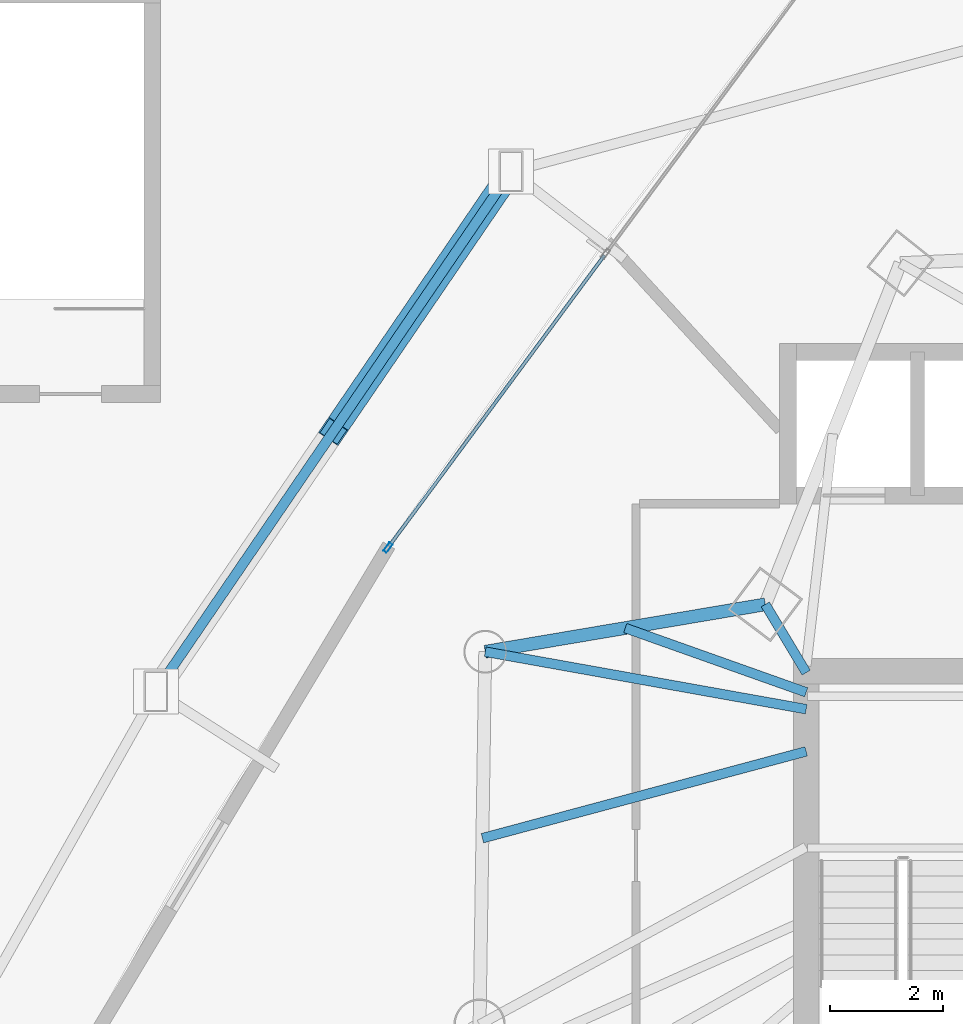
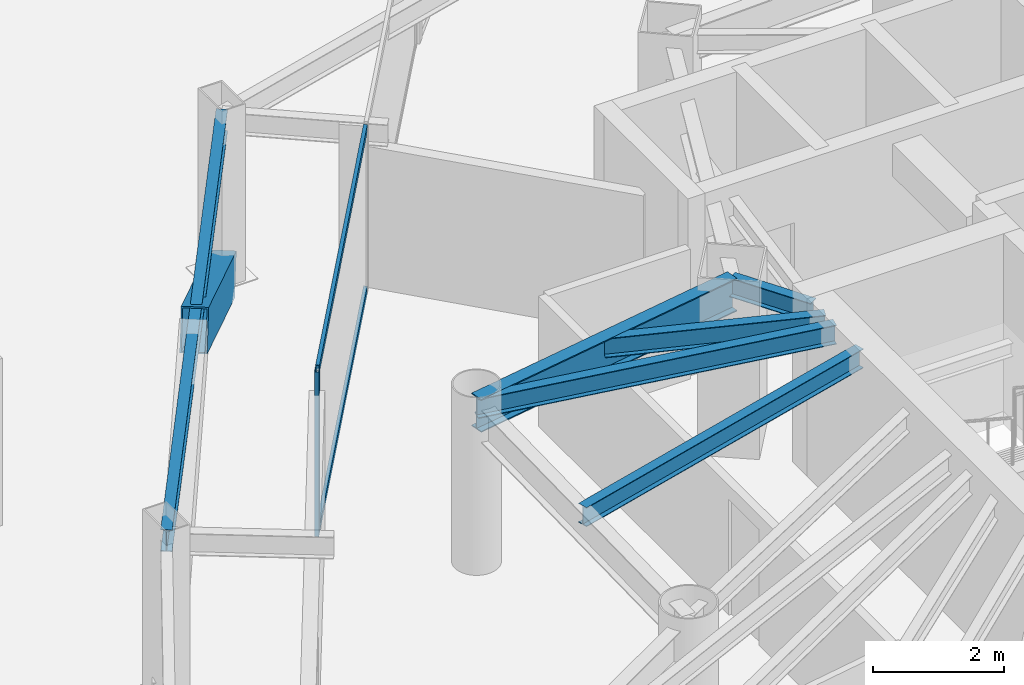
# One storey, part 21 of 36: 6 beams, 4 members, 1 element without a shape of its own.
"""IFC4 building model written with IfcOpenShell, lengths in metres."""

import ifcopenshell
import ifcopenshell.guid

model = None  # the IFC model being written
_history = None  # IfcOwnerHistory: only IFC2X3 demands one
_inside = {}  # id of a spatial element -> (the spatial element, [elements in it])
_under = {}  # id of a project, library or spatial element -> (it, [spatial elements below it])
_declared = {}  # id of a project -> (the project, [libraries it declares])
_typed = {}  # id of a type object -> (the type object, [elements of that type])
_made_of = {}  # id of a material, layer set ... -> (it, [elements and type objects made of it])


def new_model(schema):
    """Start an empty IFC model of exactly this schema.

    Asked for "IFC4X3", IfcOpenShell would pick the latest addendum, in which some entities
    have other attributes; the version numbers below select the first issue.
    IFC2X3 requires an IfcOwnerHistory on every rooted entity: one is made here for all.
    """
    global model, _history
    if schema == "IFC4X3":
        model = ifcopenshell.file(schema_version=(4, 3, 0, 0))
    else:
        model = ifcopenshell.file(schema=schema)
    _inside.clear()
    _under.clear()
    _declared.clear()
    _typed.clear()
    _made_of.clear()
    _history = None
    if model.schema == "IFC2X3":
        org = make("IfcOrganization", Name="unknown")
        user = make(
            "IfcPersonAndOrganization",
            ThePerson=make("IfcPerson", FamilyName="unknown"),
            TheOrganization=org,
        )
        app = make(
            "IfcApplication",
            ApplicationDeveloper=org,
            Version="unknown",
            ApplicationFullName="unknown",
            ApplicationIdentifier="unknown",
        )
        _history = make(
            "IfcOwnerHistory",
            OwningUser=user,
            OwningApplication=app,
            ChangeAction="ADDED",
            CreationDate=0,
        )
    return model


def make(cls, **values):
    """One entity of the class cls with the attributes given. An attribute that is None is left unset."""
    return model.create_entity(
        cls, **{name: value for name, value in values.items() if value is not None}
    )


def rooted(cls, **values):
    """An entity with a GlobalId (a new one), such as an element, a storey or a relation."""
    return make(cls, GlobalId=ifcopenshell.guid.new(), OwnerHistory=_history, **values)


def si_unit(unit_type, name, prefix=None):
    """IfcSIUnit, for example si_unit("LENGTHUNIT", "METRE", prefix="MILLI")."""
    return make("IfcSIUnit", UnitType=unit_type, Prefix=prefix, Name=name)


def assignment(units):
    """IfcUnitAssignment: the units of a project."""
    return None if units is None else make("IfcUnitAssignment", Units=units)


def point(xyz):
    """IfcCartesianPoint."""
    return None if xyz is None else make("IfcCartesianPoint", Coordinates=xyz)


def direction(xyz):
    """IfcDirection."""
    return None if xyz is None else make("IfcDirection", DirectionRatios=xyz)


def frame(location, z_axis=None, x_axis=None):
    """IfcAxis2Placement3D, a coordinate frame: its origin and axes. An axis left out is left unset."""
    return make(
        "IfcAxis2Placement3D",
        Location=point(location),
        Axis=direction(z_axis),
        RefDirection=direction(x_axis),
    )


def frame_2d(location, x_axis=None):
    """IfcAxis2Placement2D, a coordinate frame in the plane: its origin and x axis."""
    return make(
        "IfcAxis2Placement2D", Location=point(location), RefDirection=direction(x_axis)
    )


def origin():
    """The frame at (0, 0, 0) with its axes left unset."""
    return frame((0.0, 0.0, 0.0))


def origin_2d():
    """The frame at (0, 0) in the plane with its x axis left unset."""
    return frame_2d((0.0, 0.0))


def place(relative_to, where):
    """IfcLocalPlacement: puts the frame where relative to a parent placement (None: the world)."""
    return make(
        "IfcLocalPlacement", PlacementRelTo=relative_to, RelativePlacement=where
    )


def context(
    kind, dimensions, precision=None, world=None, true_north=None, identifier=None
):
    """IfcGeometricRepresentationContext, for example the 3D "Model" context."""
    return make(
        "IfcGeometricRepresentationContext",
        ContextIdentifier=identifier,
        ContextType=kind,
        CoordinateSpaceDimension=dimensions,
        Precision=precision,
        WorldCoordinateSystem=world,
        TrueNorth=true_north,
    )


def subcontext(parent, identifier, kind, view, scale=None):
    """IfcGeometricRepresentationSubContext, for example "Body" below "Model"."""
    return make(
        "IfcGeometricRepresentationSubContext",
        ContextIdentifier=identifier,
        ContextType=kind,
        ParentContext=parent,
        TargetScale=scale,
        TargetView=view,
    )


def project(units=None, contexts=None):
    """IfcProject with its units and contexts."""
    return rooted(
        "IfcProject",
        Name="project",
        RepresentationContexts=contexts,
        UnitsInContext=assignment(units),
    )


def spatial(cls, under=None, at=None, **own):
    """A site, building, storey or space (cls), placed at a placement, below another one or the project."""
    s = rooted(cls, ObjectPlacement=at, **own)
    if under is not None:
        _under.setdefault(under.id(), (under, []))[1].append(s)
    return s


def profile(cls, at=None, kind="AREA", **sizes):
    """A parametric profile (cls). Its sizes go by their IFC names, for example OverallWidth=200.0."""
    return make(cls, ProfileType=kind, Position=at, **sizes)


def hollow_rectangle(**sizes):
    """IfcRectangleHollowProfileDef."""
    return profile("IfcRectangleHollowProfileDef", **sizes)


def i_section(**sizes):
    """IfcIShapeProfileDef."""
    return profile("IfcIShapeProfileDef", **sizes)


def extrude(swept, where, along, depth):
    """IfcExtrudedAreaSolid: the profile swept, set in the frame where, extruded along a direction by depth."""
    return make(
        "IfcExtrudedAreaSolid",
        SweptArea=swept,
        Position=where,
        ExtrudedDirection=direction(along),
        Depth=depth,
    )


def shape(context_of_items, identifier, shape_type, items):
    """IfcShapeRepresentation: the items that make up one representation, for example the "Body"."""
    return make(
        "IfcShapeRepresentation",
        ContextOfItems=context_of_items,
        RepresentationIdentifier=identifier,
        RepresentationType=shape_type,
        Items=items,
    )


def material(Name=None, Category=None):
    """IfcMaterial."""
    return make("IfcMaterial", Name=Name, Category=Category)


def layer(
    of_material, thickness, ventilated=None, Name=None, Category=None, Priority=None
):
    """IfcMaterialLayer: one layer of a wall or slab, of a material (None: an air gap)."""
    return make(
        "IfcMaterialLayer",
        Material=of_material,
        LayerThickness=thickness,
        IsVentilated=ventilated,
        Name=Name,
        Category=Category,
        Priority=Priority,
    )


def layer_set(layers, Name=None):
    """IfcMaterialLayerSet."""
    return make("IfcMaterialLayerSet", MaterialLayers=layers, LayerSetName=Name)


def material_profile(
    of_material, cross_section, Name=None, Category=None, Priority=None
):
    """IfcMaterialProfile: a cross section and its material."""
    return make(
        "IfcMaterialProfile",
        Name=Name,
        Material=of_material,
        Profile=cross_section,
        Priority=Priority,
        Category=Category,
    )


def profile_set(profiles, Name=None, composite=None):
    """IfcMaterialProfileSet."""
    return make(
        "IfcMaterialProfileSet",
        Name=Name,
        MaterialProfiles=profiles,
        CompositeProfile=composite,
    )


def made_of(thing, what):
    """Note that an element or type object is made of a material, layer set ...; save() writes the relation."""
    if what is not None:
        _made_of.setdefault(what.id(), (what, []))[1].append(thing)
    return thing


def type_object(cls, material=None, **own):
    """A type object (cls), such as IfcWallType, which elements share."""
    return made_of(rooted(cls, **own), material)


def element(
    cls,
    number,
    at=None,
    inside=None,
    cuts=None,
    type_object=None,
    material=None,
    context=None,
    identifier="Body",
    shape_type=None,
    held_by="IfcProductDefinitionShape",
    body=None,
    shapes=None,
    **own,
):
    """One element of the class cls, such as IfcWall. Its Tag is "e" and its number.

    at: its placement. inside: the storey or other place that contains it. cuts: it is an
    opening in that element (IfcRelVoidsElement). A single representation is given by context,
    identifier, shape_type and body (its items); several are given by shapes. held_by: the class
    of the entity that holds the representations. save() writes the other relations.
    """
    e = rooted(cls, Tag="e%d" % number, ObjectPlacement=at, **own)
    if body is not None:
        shapes = [shape(context, identifier, shape_type, body)]
    if shapes is not None:
        e.Representation = make(held_by, Representations=shapes)
    if inside is not None:
        _inside.setdefault(inside.id(), (inside, []))[1].append(e)
    if cuts is not None:
        rooted(
            "IfcRelVoidsElement", RelatingBuildingElement=cuts, RelatedOpeningElement=e
        )
    if type_object is not None:
        _typed.setdefault(type_object.id(), (type_object, []))[1].append(e)
    return made_of(e, material)


def aggregate(whole, parts):
    """IfcRelAggregates: a whole, such as a stair, and the parts it consists of."""
    return rooted("IfcRelAggregates", RelatingObject=whole, RelatedObjects=parts)


def save(model, path):
    """Write the relations noted so far, then the file.

    IfcRelAggregates (storeys below a building ...), IfcRelContainedInSpatialStructure (elements
    in a storey), IfcRelDefinesByType, IfcRelAssociatesMaterial and IfcRelDeclares: one each for
    every whole, place, type object, material and project.
    """
    for whole, parts in _under.values():
        aggregate(whole, parts)
    for where, things in _inside.values():
        rooted(
            "IfcRelContainedInSpatialStructure",
            RelatedElements=things,
            RelatingStructure=where,
        )
    for kind, things in _typed.values():
        rooted("IfcRelDefinesByType", RelatedObjects=things, RelatingType=kind)
    for what, things in _made_of.values():
        rooted("IfcRelAssociatesMaterial", RelatedObjects=things, RelatingMaterial=what)
    for by, libraries in _declared.values():
        rooted("IfcRelDeclares", RelatingContext=by, RelatedDefinitions=libraries)
    model.write(path)


model = new_model("IFC4")

# Units and contexts
model_context = context("Model", 3, precision=1e-05, world=origin(), true_north=direction((0.0, 1.0)))
body_context = subcontext(model_context, "Body", "Model", "MODEL_VIEW")
ifc_project = project(units=[si_unit("LENGTHUNIT", "METRE"), si_unit("AREAUNIT", "SQUARE_METRE"), si_unit("VOLUMEUNIT", "CUBIC_METRE"), si_unit("PLANEANGLEUNIT", "RADIAN"), si_unit("MASSUNIT", "GRAM", prefix="KILO")], contexts=[model_context])

# Site, building, storey
site_placement = place(None, origin())
site = spatial("IfcSite", under=ifc_project, at=site_placement, CompositionType="ELEMENT")
building_placement = place(site_placement, origin())
building = spatial("IfcBuilding", under=site, at=building_placement, Name="Orvanel Arch Residences", CompositionType="ELEMENT")
storey_placement = place(building_placement, frame((0.0, 0.0, 23.60009765625)))
storey = spatial("IfcBuildingStorey", under=building, at=storey_placement, Name="L05", CompositionType="ELEMENT", Elevation=23.60009765625)

# Beams
ifc_material_1 = material(Name="Structural steel AS/NZS 3679.1 Grade 300 (300 MPa)", Category="steel")
ifc_material_profile_1 = material_profile(ifc_material_1, i_section(OverallWidth=0.1708984375, OverallDepth=0.35595703125, WebThickness=0.00732421875, FlangeThickness=0.011474609375, at=origin_2d()), Name="360UB50.7")
ifc_profile_set_1 = profile_set([ifc_material_profile_1], Name="Structural steel AS/NZS 3679.1 Grade 300 (300 MPa)")
beam_type_1 = type_object("IfcBeamType", Name="BJ-360UB", PredefinedType="JOIST", material=ifc_profile_set_1)
beam_1_placement = place(storey_placement, frame((26.375, 33.89990234375, 2.8818359375), z_axis=(-0.514064138778, 0.857751748015, 0.0), x_axis=(-0.857751748015, -0.514064138778, 0.0)))
element("IfcBeam", 1, at=beam_1_placement, inside=storey, type_object=beam_type_1, Name="L05 NNW Wing Floor Joist", PredefinedType="JOIST", context=body_context, shape_type="SweptSolid", body=[
    extrude(i_section(OverallWidth=0.1708984375, OverallDepth=0.35595703125, WebThickness=0.00732421875, FlangeThickness=0.011474609375, at=origin_2d()), origin(), (0.0, 0.0, 1.0), 1.414306640625),
])
beam_2_placement = place(storey_placement, frame((26.375, 32.5, 2.8818359375), z_axis=(-0.965844838168, -0.259121107949, 0.0), x_axis=(0.259121107949, -0.965844838168, 0.0)))
element("IfcBeam", 2, at=beam_2_placement, inside=storey, type_object=beam_type_1, Name="L05 WNW Wing Floor Joist", PredefinedType="JOIST", context=body_context, shape_type="SweptSolid", body=[
    extrude(i_section(OverallWidth=0.1708984375, OverallDepth=0.35595703125, WebThickness=0.00732421875, FlangeThickness=0.011474609375, at=origin_2d()), origin(), (0.0, 0.0, 1.0), 5.95849609375),
])
beam_3_placement = place(storey_placement, frame((26.375, 33.25, 2.8818359375), z_axis=(-0.984360855662, 0.176163860766, 0.0), x_axis=(-0.176163860766, -0.984360855662, 0.0)))
element("IfcBeam", 3, at=beam_3_placement, inside=storey, type_object=beam_type_1, Name="L05 LW Wing Floor Joist", PredefinedType="JOIST", context=body_context, shape_type="SweptSolid", body=[
    extrude(i_section(OverallWidth=0.1708984375, OverallDepth=0.35595703125, WebThickness=0.00732421875, FlangeThickness=0.011474609375, at=origin_2d()), origin(), (0.0, 0.0, 1.0), 5.795654296875),
])
beam_4_placement = place(storey_placement, frame((26.375, 33.550048828125, 2.8818359375), z_axis=(-0.942366638377, 0.334582006201, 0.0), x_axis=(-0.334582006201, -0.942366638377, 0.0)))
element("IfcBeam", 4, at=beam_4_placement, inside=storey, type_object=beam_type_1, Name="L05 JADD3 Wing Floor Joist", PredefinedType="JOIST", context=body_context, shape_type="SweptSolid", body=[
    extrude(i_section(OverallWidth=0.1708984375, OverallDepth=0.35595703125, WebThickness=0.00732421875, FlangeThickness=0.011474609375, at=origin_2d()), origin(), (0.0, 0.0, 1.0), 3.412841796875),
])

# Member
ifc_material_2 = material(Name="Structural steel AS/NZS 3678 Grade 350", Category="steel")
ifc_material_profile_2 = material_profile(ifc_material_2, hollow_rectangle(XDim=0.419921875, YDim=0.719970703125, WallThickness=0.02490234375, at=origin_2d()), Name="RHS720x420x25")
ifc_profile_set_2 = profile_set([ifc_material_profile_2], Name="Structural steel AS/NZS 3678 Grade 350")
member_type_1 = type_object("IfcMemberType", Name="BR-720RHS-EXT", PredefinedType="BRACE", material=ifc_profile_set_2)
member_1_placement = place(storey_placement, frame((21.126953125, 42.80908203125, 0.0), z_axis=(-0.502245852867, -0.735554922757, 0.454651579659), x_axis=(0.825845078802, -0.563897070234, 0.0)))
element("IfcMember", 5, at=member_1_placement, inside=storey, type_object=member_type_1, Name="L05 Exterior Sky-Garden V-Frame Chevron F1B1.1", PredefinedType="BRACE", context=body_context, shape_type="SweptSolid", body=[
    extrude(hollow_rectangle(XDim=0.419921875, YDim=0.719970703125, WallThickness=0.02490234375, at=origin_2d()), origin(), (0.0, 0.0, 1.0), 6.28369140625),
])

# Curtain wall, member
ifc_material_3 = material(Name="Bronze-anodised aluminium AA6063-T6", Category="aluminium")
ifc_layer = layer(ifc_material_3, 0.179931640625)
ifc_layer_set = layer_set([ifc_layer], Name="Bronze-anodised aluminium AA6063-T6")
curtain_wall_type = type_object("IfcCurtainWallType", Name="CW2-LOW-SYS", PredefinedType="NOTDEFINED", material=ifc_layer_set)
curtain_wall_placement = place(storey_placement, origin())
curtain_wall = element("IfcCurtainWall", 6, at=curtain_wall_placement, inside=storey, type_object=curtain_wall_type, Name="L05 CW2-LOW-SYS Unitised Curtain Wall", PredefinedType="NOTDEFINED")
ifc_material_profile_3 = material_profile(ifc_material_3, hollow_rectangle(XDim=0.070068359375, YDim=0.179931640625, WallThickness=0.00439453125, at=origin_2d()), Name="ALU180x70x4.5")
ifc_profile_set_3 = profile_set([ifc_material_profile_3], Name="Bronze-anodised aluminium AA6063-T6")
member_type_2 = type_object("IfcMemberType", Name="MUL-180x70", PredefinedType="MULLION", material=ifc_profile_set_3)
member_2_placement = place(storey_placement, frame((18.93994140625, 36.1201171875, 0.0), z_axis=(0.0, 0.0, 1.0), x_axis=(0.803638489605, -0.595117785002, 0.0)))
member_2 = element("IfcMember", 7, at=member_2_placement, type_object=member_type_2, Name="CW-S2 mullion 3", PredefinedType="MULLION", context=body_context, shape_type="SweptSolid", body=[
    extrude(hollow_rectangle(XDim=0.070068359375, YDim=0.179931640625, WallThickness=0.00439453125, at=origin_2d()), origin(), (0.0, 0.0, 1.0), 3.059814453125),
])

# Beams
ifc_material_profile_4 = material_profile(ifc_material_1, i_section(OverallWidth=0.177978515625, OverallDepth=0.406005859375, WebThickness=0.0078125, FlangeThickness=0.0126953125, at=origin_2d()), Name="410UB59.7")
ifc_profile_set_4 = profile_set([ifc_material_profile_4], Name="Structural steel AS/NZS 3679.1 Grade 300 (300 MPa)")
beam_type_2 = type_object("IfcBeamType", Name="OB-410UB-EXT", PredefinedType="SPANDREL", material=ifc_profile_set_4)
beam_5_placement = place(storey_placement, frame((21.126953125, 42.80908203125, 2.85693359375), z_axis=(-0.563897070234, -0.825845078802, 0.0), x_axis=(0.825845078802, -0.563897070234, 0.0)))
element("IfcBeam", 8, at=beam_5_placement, inside=storey, type_object=beam_type_2, Name="L05 Outer Perimeter Floor Ring Beam 01", PredefinedType="SPANDREL", context=body_context, shape_type="SweptSolid", body=[
    extrude(i_section(OverallWidth=0.177978515625, OverallDepth=0.406005859375, WebThickness=0.0078125, FlangeThickness=0.0126953125, at=origin_2d()), origin(), (0.0, 0.0, 1.0), 11.193603515625),
])
ifc_material_profile_5 = material_profile(ifc_material_1, i_section(OverallWidth=0.22900390625, OverallDepth=0.612060546875, WebThickness=0.011962890625, FlangeThickness=0.01953125, at=origin_2d()), Name="610UB125")
ifc_profile_set_5 = profile_set([ifc_material_profile_5], Name="Structural steel AS/NZS 3679.1 Grade 300 (300 MPa)")
beam_type_3 = type_object("IfcBeamType", Name="SP-610UB", PredefinedType="SPANDREL", material=ifc_profile_set_5)
beam_6_placement = place(storey_placement, frame((25.64794921875, 35.113037109375, 2.75390625), z_axis=(-0.985993733897, -0.166782363326, 0.0), x_axis=(0.166782363326, -0.985993733897, 0.0)))
element("IfcBeam", 9, at=beam_6_placement, inside=storey, type_object=beam_type_3, Name="L05 Perimeter Spandrel Beam 19", PredefinedType="SPANDREL", context=body_context, shape_type="SweptSolid", body=[
    extrude(i_section(OverallWidth=0.22900390625, OverallDepth=0.612060546875, WebThickness=0.011962890625, FlangeThickness=0.01953125, at=origin_2d()), origin(), (0.0, 0.0, 1.0), 5.048828125),
])

# Member
ifc_material_profile_6 = material_profile(ifc_material_3, hollow_rectangle(XDim=0.06005859375, YDim=0.135009765625, WallThickness=0.00390625, at=origin_2d()), Name="ALU135x60x4")
ifc_profile_set_6 = profile_set([ifc_material_profile_6], Name="Bronze-anodised aluminium AA6063-T6")
member_type_3 = type_object("IfcMemberType", Name="TRN-135x60", PredefinedType="USERDEFINED", material=ifc_profile_set_6)
member_3_placement = place(storey_placement, frame((22.7880859375, 41.31689453125, 0.02978515625), z_axis=(-0.595099541417, -0.803651999192, 0.0), x_axis=(0.803651999192, -0.595099541417, 0.0)))
member_3 = element("IfcMember", 10, at=member_3_placement, type_object=member_type_3, Name="CW-S2 transom 2.1", ObjectType="TRANSOM", PredefinedType="USERDEFINED", context=body_context, shape_type="SweptSolid", body=[
    extrude(hollow_rectangle(XDim=0.06005859375, YDim=0.135009765625, WallThickness=0.00390625, at=origin_2d()), origin(), (0.0, 0.0, 1.0), 6.431396484375),
])

member_4_placement = place(storey_placement, frame((22.7880859375, 41.31689453125, 3.02978515625), z_axis=(-0.595099541417, -0.803651999192, 0.0), x_axis=(0.803651999192, -0.595099541417, 0.0)))
member_4 = element("IfcMember", 11, at=member_4_placement, type_object=member_type_3, Name="CW-S2 transom 2.2", ObjectType="TRANSOM", PredefinedType="USERDEFINED", context=body_context, shape_type="SweptSolid", body=[
    extrude(hollow_rectangle(XDim=0.06005859375, YDim=0.135009765625, WallThickness=0.00390625, at=origin_2d()), origin(), (0.0, 0.0, 1.0), 6.431396484375),
])

aggregate(curtain_wall, [member_2, member_3, member_4])

save(model, "model.ifc")
